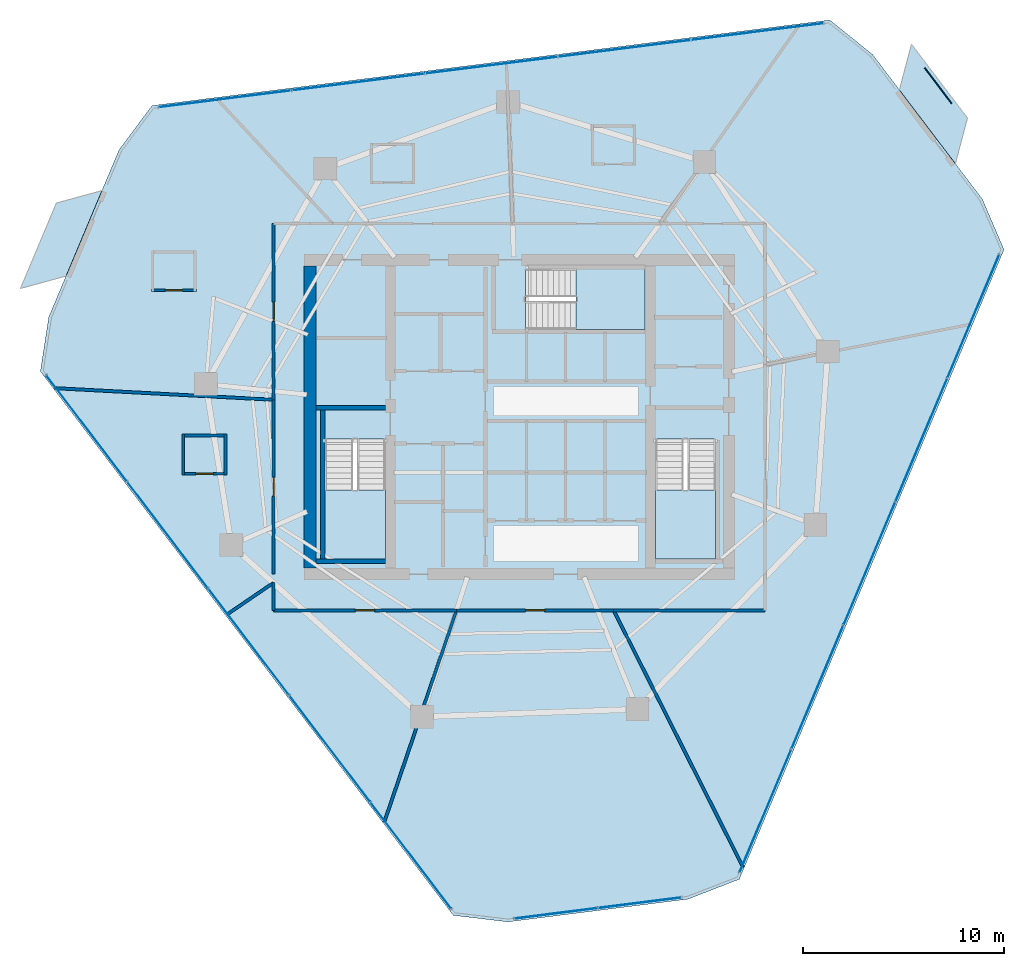
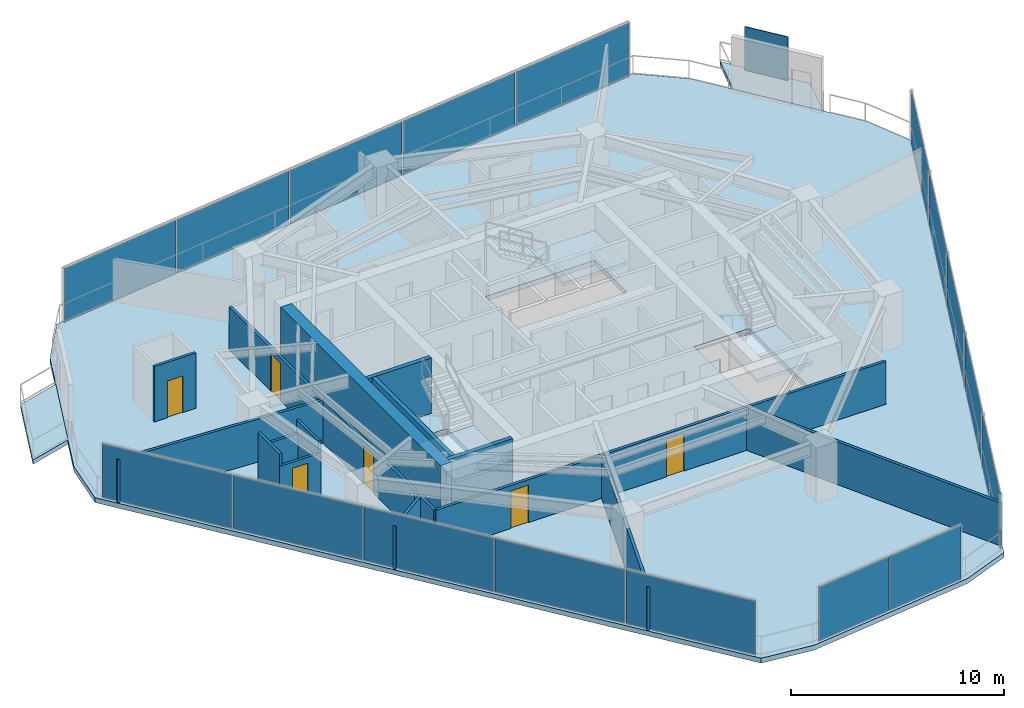
# One storey, part 24 of 30: 19 walls, 18 plates, 6 doors, 6 slabs, 6 openings, 7 elements without a shape of their own.
"""IFC4 building model written with IfcOpenShell, lengths in metres."""

from ifc_helpers import new_model, si_unit, direction, frame, frame_2d, origin, origin_2d, place, context, subcontext, project, spatial, polyline, rectangle, outline, extrude, material, layer, layer_set, type_object, element, fill, aggregate, save


model = new_model("IFC4")

# Units and contexts
model_context = context("Model", 3, precision=1e-05, world=origin(), true_north=direction((0.0, 1.0)))
body_context = subcontext(model_context, "Body", "Model", "MODEL_VIEW")
ifc_project = project(units=[si_unit("LENGTHUNIT", "METRE"), si_unit("AREAUNIT", "SQUARE_METRE"), si_unit("VOLUMEUNIT", "CUBIC_METRE"), si_unit("PLANEANGLEUNIT", "RADIAN"), si_unit("MASSUNIT", "GRAM", prefix="KILO")], contexts=[model_context])

# Site, building, storey
site_placement = place(None, origin())
site = spatial("IfcSite", under=ifc_project, at=site_placement, CompositionType="ELEMENT")
building_placement = place(site_placement, origin())
building = spatial("IfcBuilding", under=site, at=building_placement, Name="Qarnah Convention Tower", CompositionType="ELEMENT")
storey_placement = place(building_placement, frame((0.0, 0.0, 93.60009765625)))
storey = spatial("IfcBuildingStorey", under=building, at=storey_placement, Name="L24", CompositionType="ELEMENT", Elevation=93.60009765625)

# Curtain wall, plates
ifc_material_1 = material(Name="Tempered Low-E dark glass", Category="glass")
ifc_layer_1 = layer(ifc_material_1, 0.169921875)
ifc_layer_set_1 = layer_set([ifc_layer_1], Name="Tempered Low-E dark glass")
curtain_wall_type = type_object("IfcCurtainWallType", Name="CWS-02", PredefinedType="NOTDEFINED", material=ifc_layer_set_1)
curtain_wall_1_placement = place(storey_placement, origin())
curtain_wall_1 = element("IfcCurtainWall", 1, at=curtain_wall_1_placement, inside=storey, type_object=curtain_wall_type, Name="L24 unitised curtain wall CW-L24-F1", PredefinedType="NOTDEFINED")
ifc_layer_2 = layer(ifc_material_1, 0.030029296875)
ifc_layer_set_2 = layer_set([ifc_layer_2], Name="Tempered Low-E dark glass")
plate_type_1 = type_object("IfcPlateType", Name="PNL-T2", PredefinedType="CURTAIN_PANEL", material=ifc_layer_set_2)
plate_1_placement = place(storey_placement, frame((22.586181640625, 42.193359375, 0.0400390625), z_axis=(0.0, 0.0, 1.0), x_axis=(0.992119561144, 0.125294758056, 0.0)))
plate_1 = element("IfcPlate", 2, at=plate_1_placement, type_object=plate_type_1, Name="CW-L24-F1 curtain panel 1.1", PredefinedType="CURTAIN_PANEL", context=body_context, shape_type="SweptSolid", body=[
    extrude(rectangle(XDim=6.5810546875, YDim=0.030029296875, at=origin_2d()), origin(), (0.0, 0.0, 1.0), 3.090087890625),
])
plate_2_placement = place(storey_placement, frame((29.19482421875, 43.02783203125, 0.0400390625), z_axis=(0.0, 0.0, 1.0), x_axis=(0.992119561144, 0.125294758056, 0.0)))
plate_2 = element("IfcPlate", 3, at=plate_2_placement, type_object=plate_type_1, Name="CW-L24-F1 curtain panel 2.1", PredefinedType="CURTAIN_PANEL", context=body_context, shape_type="SweptSolid", body=[
    extrude(rectangle(XDim=6.5810546875, YDim=0.030029296875, at=origin_2d()), origin(), (0.0, 0.0, 1.0), 3.090087890625),
])
plate_3_placement = place(storey_placement, frame((35.803466796875, 43.862548828125, 0.0400390625), z_axis=(0.0, 0.0, 1.0), x_axis=(0.992119561144, 0.125294758056, 0.0)))
plate_3 = element("IfcPlate", 4, at=plate_3_placement, type_object=plate_type_1, Name="CW-L24-F1 curtain panel 3.1", PredefinedType="CURTAIN_PANEL", context=body_context, shape_type="SweptSolid", body=[
    extrude(rectangle(XDim=6.5810546875, YDim=0.030029296875, at=origin_2d()), origin(), (0.0, 0.0, 1.0), 3.090087890625),
])
plate_4_placement = place(storey_placement, frame((42.412109375, 44.697021484375, 0.0400390625), z_axis=(0.0, 0.0, 1.0), x_axis=(0.992119561144, 0.125294758056, 0.0)))
plate_4 = element("IfcPlate", 5, at=plate_4_placement, type_object=plate_type_1, Name="CW-L24-F1 curtain panel 4.1", PredefinedType="CURTAIN_PANEL", context=body_context, shape_type="SweptSolid", body=[
    extrude(rectangle(XDim=6.5810546875, YDim=0.030029296875, at=origin_2d()), origin(), (0.0, 0.0, 1.0), 3.090087890625),
])
plate_5_placement = place(storey_placement, frame((49.020751953125, 45.53173828125, 0.0400390625), z_axis=(0.0, 0.0, 1.0), x_axis=(0.992119561144, 0.125294758056, 0.0)))
plate_5 = element("IfcPlate", 6, at=plate_5_placement, type_object=plate_type_1, Name="CW-L24-F1 curtain panel 5.1", PredefinedType="CURTAIN_PANEL", context=body_context, shape_type="SweptSolid", body=[
    extrude(rectangle(XDim=6.5810546875, YDim=0.030029296875, at=origin_2d()), origin(), (0.0, 0.0, 1.0), 3.090087890625),
])
aggregate(curtain_wall_1, [plate_1, plate_2, plate_3, plate_4, plate_5])

curtain_wall_2_placement = place(storey_placement, origin())
curtain_wall_2 = element("IfcCurtainWall", 7, at=curtain_wall_2_placement, inside=storey, type_object=curtain_wall_type, Name="L24 unitised curtain wall CW-L24-F2", PredefinedType="NOTDEFINED")
plate_6_placement = place(storey_placement, frame((31.8232421875, 4.620849609375, 0.0400390625), z_axis=(0.0, 0.0, 1.0), x_axis=(-0.604606608051, 0.796524230329, 0.0)))
plate_6 = element("IfcPlate", 8, at=plate_6_placement, type_object=plate_type_1, Name="CW-L24-F2 curtain panel 1.1", PredefinedType="CURTAIN_PANEL", context=body_context, shape_type="SweptSolid", body=[
    extrude(rectangle(XDim=6.581298828125, YDim=0.030029296875, at=origin_2d()), origin(), (0.0, 0.0, 1.0), 3.090087890625),
])
plate_7_placement = place(storey_placement, frame((27.7958984375, 9.9267578125, 0.0400390625), z_axis=(0.0, 0.0, 1.0), x_axis=(-0.604606608051, 0.796524230329, 0.0)))
plate_7 = element("IfcPlate", 9, at=plate_7_placement, type_object=plate_type_1, Name="CW-L24-F2 curtain panel 2.1", PredefinedType="CURTAIN_PANEL", context=body_context, shape_type="SweptSolid", body=[
    extrude(rectangle(XDim=6.581298828125, YDim=0.030029296875, at=origin_2d()), origin(), (0.0, 0.0, 1.0), 3.090087890625),
])
plate_8_placement = place(storey_placement, frame((23.7685546875, 15.232421875, 0.0400390625), z_axis=(0.0, 0.0, 1.0), x_axis=(-0.604606608051, 0.796524230329, 0.0)))
plate_8 = element("IfcPlate", 10, at=plate_8_placement, type_object=plate_type_1, Name="CW-L24-F2 curtain panel 3.1", PredefinedType="CURTAIN_PANEL", context=body_context, shape_type="SweptSolid", body=[
    extrude(rectangle(XDim=6.581298828125, YDim=0.030029296875, at=origin_2d()), origin(), (0.0, 0.0, 1.0), 3.090087890625),
])
plate_9_placement = place(storey_placement, frame((19.7412109375, 20.538330078125, 0.0400390625), z_axis=(0.0, 0.0, 1.0), x_axis=(-0.604606608051, 0.796524230329, 0.0)))
plate_9 = element("IfcPlate", 11, at=plate_9_placement, type_object=plate_type_1, Name="CW-L24-F2 curtain panel 4.1", PredefinedType="CURTAIN_PANEL", context=body_context, shape_type="SweptSolid", body=[
    extrude(rectangle(XDim=6.581298828125, YDim=0.030029296875, at=origin_2d()), origin(), (0.0, 0.0, 1.0), 3.090087890625),
])
plate_10_placement = place(storey_placement, frame((15.713623046875, 25.843994140625, 0.0400390625), z_axis=(0.0, 0.0, 1.0), x_axis=(-0.604606608051, 0.796524230329, 0.0)))
plate_10 = element("IfcPlate", 12, at=plate_10_placement, type_object=plate_type_1, Name="CW-L24-F2 curtain panel 5.1", PredefinedType="CURTAIN_PANEL", context=body_context, shape_type="SweptSolid", body=[
    extrude(rectangle(XDim=6.581298828125, YDim=0.030029296875, at=origin_2d()), origin(), (0.0, 0.0, 1.0), 3.090087890625),
])
aggregate(curtain_wall_2, [plate_6, plate_7, plate_8, plate_9, plate_10])

curtain_wall_3_placement = place(storey_placement, origin())
curtain_wall_3 = element("IfcCurtainWall", 13, at=curtain_wall_3_placement, inside=storey, type_object=curtain_wall_type, Name="L24 unitised curtain wall CW-L24-F3", PredefinedType="NOTDEFINED")
plate_11_placement = place(storey_placement, frame((59.743408203125, 31.40576171875, 0.0400390625), z_axis=(0.0, 0.0, 1.0), x_axis=(-0.387506592377, -0.921866932298, 0.0)))
plate_11 = element("IfcPlate", 14, at=plate_11_placement, type_object=plate_type_1, Name="CW-L24-F3 curtain panel 1.1", PredefinedType="CURTAIN_PANEL", context=body_context, shape_type="SweptSolid", body=[
    extrude(rectangle(XDim=6.5810546875, YDim=0.030029296875, at=origin_2d()), origin(), (0.0, 0.0, 1.0), 3.090087890625),
])
plate_12_placement = place(storey_placement, frame((57.162109375, 25.26513671875, 0.0400390625), z_axis=(0.0, 0.0, 1.0), x_axis=(-0.387506592377, -0.921866932298, 0.0)))
plate_12 = element("IfcPlate", 15, at=plate_12_placement, type_object=plate_type_1, Name="CW-L24-F3 curtain panel 2.1", PredefinedType="CURTAIN_PANEL", context=body_context, shape_type="SweptSolid", body=[
    extrude(rectangle(XDim=6.5810546875, YDim=0.030029296875, at=origin_2d()), origin(), (0.0, 0.0, 1.0), 3.090087890625),
])
plate_13_placement = place(storey_placement, frame((54.5810546875, 19.12451171875, 0.0400390625), z_axis=(0.0, 0.0, 1.0), x_axis=(-0.387506592377, -0.921866932298, 0.0)))
plate_13 = element("IfcPlate", 16, at=plate_13_placement, type_object=plate_type_1, Name="CW-L24-F3 curtain panel 3.1", PredefinedType="CURTAIN_PANEL", context=body_context, shape_type="SweptSolid", body=[
    extrude(rectangle(XDim=6.5810546875, YDim=0.030029296875, at=origin_2d()), origin(), (0.0, 0.0, 1.0), 3.090087890625),
])
plate_14_placement = place(storey_placement, frame((51.999755859375, 12.98388671875, 0.0400390625), z_axis=(0.0, 0.0, 1.0), x_axis=(-0.387506592377, -0.921866932298, 0.0)))
plate_14 = element("IfcPlate", 17, at=plate_14_placement, type_object=plate_type_1, Name="CW-L24-F3 curtain panel 4.1", PredefinedType="CURTAIN_PANEL", context=body_context, shape_type="SweptSolid", body=[
    extrude(rectangle(XDim=6.5810546875, YDim=0.030029296875, at=origin_2d()), origin(), (0.0, 0.0, 1.0), 3.090087890625),
])
plate_15_placement = place(storey_placement, frame((49.418701171875, 6.84326171875, 0.0400390625), z_axis=(0.0, 0.0, 1.0), x_axis=(-0.387506592377, -0.921866932298, 0.0)))
plate_15 = element("IfcPlate", 18, at=plate_15_placement, type_object=plate_type_1, Name="CW-L24-F3 curtain panel 5.1", PredefinedType="CURTAIN_PANEL", context=body_context, shape_type="SweptSolid", body=[
    extrude(rectangle(XDim=6.5810546875, YDim=0.030029296875, at=origin_2d()), origin(), (0.0, 0.0, 1.0), 3.090087890625),
])
aggregate(curtain_wall_3, [plate_11, plate_12, plate_13, plate_14, plate_15])

curtain_wall_4_placement = place(storey_placement, origin())
curtain_wall_4 = element("IfcCurtainWall", 19, at=curtain_wall_4_placement, inside=storey, type_object=curtain_wall_type, Name="L24 unitised curtain wall CW-L24-F4", PredefinedType="NOTDEFINED")
plate_16_placement = place(storey_placement, frame((43.17529296875, 2.27880859375, 0.0400390625), z_axis=(0.0, 0.0, 1.0), x_axis=(-0.992121516027, -0.125279277757, 0.0)))
plate_16 = element("IfcPlate", 20, at=plate_16_placement, type_object=plate_type_1, Name="CW-L24-F4 curtain panel 1.1", PredefinedType="CURTAIN_PANEL", context=body_context, shape_type="SweptSolid", body=[
    extrude(rectangle(XDim=4.12255859375, YDim=0.030029296875, at=origin_2d()), origin(), (0.0, 0.0, 1.0), 3.090087890625),
])
plate_17_placement = place(storey_placement, frame((39.005859375, 1.752197265625, 0.0400390625), z_axis=(0.0, 0.0, 1.0), x_axis=(-0.992121516027, -0.125279277757, 0.0)))
plate_17 = element("IfcPlate", 21, at=plate_17_placement, type_object=plate_type_1, Name="CW-L24-F4 curtain panel 2.1", PredefinedType="CURTAIN_PANEL", context=body_context, shape_type="SweptSolid", body=[
    extrude(rectangle(XDim=4.12255859375, YDim=0.030029296875, at=origin_2d()), origin(), (0.0, 0.0, 1.0), 3.090087890625),
])
aggregate(curtain_wall_4, [plate_16, plate_17])

# Plate
ifc_material_2 = material(Name="Black anodised aluminium", Category="aluminium")
ifc_layer_3 = layer(ifc_material_2, 0.044921875)
ifc_layer_set_3 = layer_set([ifc_layer_3], Name="Black anodised aluminium")
plate_type_2 = type_object("IfcPlateType", Name="SCR-BAL-18", PredefinedType="USERDEFINED", material=ifc_layer_set_3)
plate_18_placement = place(storey_placement, frame((57.99609375, 42.841064453125, 0.0), z_axis=(0.0, 0.0, 1.0), x_axis=(0.604581042016, -0.796543635738, 0.0)))
element("IfcPlate", 22, at=plate_18_placement, inside=storey, type_object=plate_type_2, Name="L24 perforated desert solar screen BAL-L24-C1", ObjectType="SCREEN", PredefinedType="USERDEFINED", context=body_context, shape_type="SweptSolid", body=[
    extrude(rectangle(XDim=2.199951171875, YDim=0.044921875, at=origin_2d()), origin(), (0.0, 0.0, 1.0), 2.5),
])

# Slabs
ifc_material_3 = material(Name="Concrete C45/55", Category="concrete")
ifc_layer_4 = layer(ifc_material_3, 0.239990234375)
ifc_layer_set_4 = layer_set([ifc_layer_4], Name="Concrete C45/55")
slab_type_1 = type_object("IfcSlabType", Name="SLB-BAL-240", PredefinedType="USERDEFINED", material=ifc_layer_set_4)
slab_1_placement = place(storey_placement, frame((0.0, 0.0, -0.239990234375)))
element("IfcSlab", 23, at=slab_1_placement, inside=storey, type_object=slab_type_1, Name="L24 cantilevered balcony slab BAL-L24-C1", ObjectType="BALCONY", PredefinedType="USERDEFINED", context=body_context, shape_type="SweptSolid", body=[
    extrude(outline(polyline([(56.6669921875, 44.905029296875), (59.447998046875, 41.240966796875), (58.847900390625, 38.971923828125), (56.06689453125, 42.635986328125), (56.6669921875, 44.905029296875)])), origin(), (0.0, 0.0, 1.0), 0.239990234375),
])
slab_2_placement = place(storey_placement, frame((0.0, 0.0, -0.239990234375)))
element("IfcSlab", 24, at=slab_2_placement, inside=storey, type_object=slab_type_1, Name="L24 cantilevered balcony slab BAL-L24-C2", ObjectType="BALCONY", PredefinedType="USERDEFINED", context=body_context, shape_type="SweptSolid", body=[
    extrude(outline(polyline([(12.43408203125, 32.778076171875), (14.217041015625, 37.01904296875), (16.48095703125, 37.635009765625), (14.697998046875, 33.39306640625), (12.43408203125, 32.778076171875)])), origin(), (0.0, 0.0, 1.0), 0.239990234375),
])

# Stair, slab
ifc_material_4 = material(Name="Concrete C50/60", Category="concrete")
stair_type = type_object("IfcStairType", Name="STR-HTL", PredefinedType="HALF_TURN_STAIR", material=ifc_material_4)
stair_1_placement = place(storey_placement, origin())
stair_1 = element("IfcStair", 25, at=stair_1_placement, inside=storey, type_object=stair_type, Name="L24 Core exit stair ST-1", PredefinedType="HALF_TURN_STAIR")
ifc_layer_5 = layer(ifc_material_4, 0.199951171875)
ifc_layer_set_5 = layer_set([ifc_layer_5], Name="Concrete C50/60")
slab_type_2 = type_object("IfcSlabType", Name="SLB-LANDING-200", PredefinedType="LANDING", material=ifc_layer_set_5)
slab_3_placement = place(storey_placement, frame((0.0, 0.0, 1.52490234375)))
slab_3 = element("IfcSlab", 26, at=slab_3_placement, type_object=slab_type_2, Name="ST-1 landing 1", PredefinedType="LANDING", context=body_context, shape_type="SweptSolid", body=[
    extrude(outline(polyline([(27.550048828125, 22.780029296875), (27.550048828125, 19.35009765625), (30.550048828125, 19.35009765625), (30.550048828125, 22.780029296875), (27.550048828125, 22.780029296875)])), origin(), (0.0, 0.0, 1.0), 0.199951171875),
])
aggregate(stair_1, [slab_3])

stair_2_placement = place(storey_placement, origin())
stair_2 = element("IfcStair", 27, at=stair_2_placement, inside=storey, type_object=stair_type, Name="L24 Core exit stair ST-2", PredefinedType="HALF_TURN_STAIR")
slab_4_placement = place(storey_placement, frame((0.0, 0.0, 1.52490234375)))
slab_4 = element("IfcSlab", 28, at=slab_4_placement, type_object=slab_type_2, Name="ST-2 landing 1", PredefinedType="LANDING", context=body_context, shape_type="SweptSolid", body=[
    extrude(outline(polyline([(43.949951171875, 22.780029296875), (43.949951171875, 19.35009765625), (46.949951171875, 19.35009765625), (46.949951171875, 22.780029296875), (43.949951171875, 22.780029296875)])), origin(), (0.0, 0.0, 1.0), 0.199951171875),
])
aggregate(stair_2, [slab_4])

stair_3_placement = place(storey_placement, origin())
stair_3 = element("IfcStair", 29, at=stair_3_placement, inside=storey, type_object=stair_type, Name="L24 Core exit stair ST-3", PredefinedType="HALF_TURN_STAIR")
slab_5_placement = place(storey_placement, frame((0.0, 0.0, 1.52490234375)))
slab_5 = element("IfcSlab", 30, at=slab_5_placement, type_object=slab_type_2, Name="ST-3 landing 1", PredefinedType="LANDING", context=body_context, shape_type="SweptSolid", body=[
    extrude(outline(polyline([(40.02001953125, 30.75), (43.449951171875, 30.75), (43.449951171875, 33.75), (40.02001953125, 33.75), (40.02001953125, 30.75)])), origin(), (0.0, 0.0, 1.0), 0.199951171875),
])
aggregate(stair_3, [slab_5])

# Slab
ifc_layer_6 = layer(ifc_material_3, 0.280029296875)
ifc_layer_set_6 = layer_set([ifc_layer_6], Name="Concrete C45/55")
slab_type_3 = type_object("IfcSlabType", Name="SLB-TWR-280", PredefinedType="FLOOR", material=ifc_layer_set_6)
slab_6_placement = place(storey_placement, frame((0.0, 0.0, -0.280029296875)))
element("IfcSlab", 31, at=slab_6_placement, inside=storey, type_object=slab_type_3, Name="L24 structural floor slab", PredefinedType="FLOOR", context=body_context, shape_type="SweptSolid", body=[
    extrude(outline(polyline([(52.60791015625, 46.10595703125), (18.968994140625, 41.85693359375), (17.3310546875, 39.6669921875), (13.841064453125, 31.364990234375), (13.423095703125, 28.6630859375), (33.923095703125, 1.656005859375), (36.637939453125, 1.33203125), (45.572998046875, 2.4609375), (48.1220703125, 3.449951171875), (61.260986328125, 34.7060546875), (60.18408203125, 37.218994140625), (54.739013671875, 44.39306640625), (52.60791015625, 46.10595703125)]), holes=[polyline([(27.550048828125, 25.300048828125), (27.550048828125, 19.35009765625), (30.550048828125, 19.35009765625), (30.550048828125, 25.300048828125), (27.550048828125, 25.300048828125)]), polyline([(43.949951171875, 25.300048828125), (43.949951171875, 19.35009765625), (46.949951171875, 19.35009765625), (46.949951171875, 25.300048828125), (43.949951171875, 25.300048828125)]), polyline([(37.5, 30.75), (43.449951171875, 30.75), (43.449951171875, 33.75), (37.5, 33.75), (37.5, 30.75)])]), origin(), (0.0, 0.0, 1.0), 0.280029296875),
])

# Walls
ifc_material_5 = material(Name="Concrete C60/75", Category="concrete")
ifc_layer_7 = layer(ifc_material_5, 0.60009765625)
ifc_layer_set_7 = layer_set([ifc_layer_7], Name="Concrete C60/75")
wall_type_1 = type_object("IfcWallType", Name="WL-CORE-600", PredefinedType="SHEAR", material=ifc_layer_set_7)
wall_1_placement = place(storey_placement, frame((26.800048828125, 18.89990234375, 0.0), z_axis=(0.0, 0.0, 1.0), x_axis=(0.0, 1.0, 0.0)))
element("IfcWall", 32, at=wall_1_placement, inside=storey, type_object=wall_type_1, Name="L24 core west shear wall", PredefinedType="SHEAR", context=body_context, shape_type="SweptSolid", body=[
    extrude(rectangle(XDim=15.0, YDim=0.60009765625, at=frame_2d((7.5, 0.0))), origin(), (0.0, 0.0, 1.0), 3.169921875),
])
ifc_layer_8 = layer(ifc_material_5, 0.219970703125)
ifc_layer_set_8 = layer_set([ifc_layer_8], Name="Concrete C60/75")
wall_type_2 = type_object("IfcWallType", Name="WL-CORE-STAIR-220", PredefinedType="SHEAR", material=ifc_layer_set_8)
wall_2_placement = place(storey_placement, frame((27.10009765625, 26.860107421875, 0.0), z_axis=(0.0, 0.0, 1.0), x_axis=(1.0, 0.0, 0.0)))
element("IfcWall", 33, at=wall_2_placement, inside=storey, type_object=wall_type_2, Name="L24 stair shaft shear wall SW-L24-ST1N", PredefinedType="SHEAR", context=body_context, shape_type="SweptSolid", body=[
    extrude(rectangle(XDim=3.449951171875, YDim=0.219970703125, at=frame_2d((1.72509765625, 0.0))), origin(), (0.0, 0.0, 1.0), 3.169921875),
])
wall_3_placement = place(storey_placement, frame((27.43994140625, 19.35009765625, 0.0), z_axis=(0.0, 0.0, 1.0), x_axis=(0.0, 1.0, 0.0)))
element("IfcWall", 34, at=wall_3_placement, inside=storey, type_object=wall_type_2, Name="L24 stair shaft shear wall SW-L24-ST1W", PredefinedType="SHEAR", context=body_context, shape_type="SweptSolid", body=[
    extrude(rectangle(XDim=7.39990234375, YDim=0.219970703125, at=frame_2d((3.699951171875, 0.0))), origin(), (0.0, 0.0, 1.0), 3.169921875),
])
wall_4_placement = place(storey_placement, frame((27.10009765625, 19.239990234375, 0.0), z_axis=(0.0, 0.0, 1.0), x_axis=(1.0, 0.0, 0.0)))
element("IfcWall", 35, at=wall_4_placement, inside=storey, type_object=wall_type_2, Name="L24 stair shaft shear wall SW-L24-ST1S", PredefinedType="SHEAR", context=body_context, shape_type="SweptSolid", body=[
    extrude(rectangle(XDim=3.449951171875, YDim=0.219970703125, at=frame_2d((1.72509765625, 0.0))), origin(), (0.0, 0.0, 1.0), 3.169921875),
])
ifc_material_6 = material(Name="Gypsum partition board")
ifc_layer_9 = layer(ifc_material_6, 0.14990234375)
ifc_layer_set_9 = layer_set([ifc_layer_9], Name="Gypsum partition board")
wall_type_3 = type_object("IfcWallType", Name="WL-SUITE-150", PredefinedType="PARTITIONING", material=ifc_layer_set_9)
wall_5_placement = place(storey_placement, frame((14.132080078125, 27.8291015625, 0.0), z_axis=(0.0, 0.0, 1.0), x_axis=(0.998597616042, -0.052941488798, 0.0)))
element("IfcWall", 36, at=wall_5_placement, inside=storey, type_object=wall_type_3, Name="L24 interior wall IW-L24-R-26", PredefinedType="PARTITIONING", context=body_context, shape_type="SweptSolid", body=[
    extrude(rectangle(XDim=10.88330078125, YDim=0.14990234375, at=frame_2d((5.441650390625, 0.0))), origin(), (0.0, 0.0, 1.0), 2.454833984375),
])

# Wall, opening, door
wall_6_placement = place(storey_placement, frame((25.0, 27.2529296875, 0.0), z_axis=(0.0, 0.0, 1.0), x_axis=(0.0, 1.0, 0.0)))
wall_6 = element("IfcWall", 37, at=wall_6_placement, inside=storey, type_object=wall_type_3, Name="L24 interior wall IW-L24-R-27", PredefinedType="PARTITIONING", context=body_context, shape_type="SweptSolid", body=[
    extrude(rectangle(XDim=8.7470703125, YDim=0.14990234375, at=frame_2d((4.37353515625, 0.0))), origin(), (0.0, 0.0, 1.0), 2.454833984375),
])
opening_1_placement = place(wall_6_placement, frame((3.89794921875, 0.0, 0.0)))
opening_1 = element("IfcOpeningElement", 38, at=opening_1_placement, cuts=wall_6, Name="Opening D-2421", PredefinedType="OPENING", context=body_context, shape_type="SweptSolid", body=[
    extrude(rectangle(XDim=0.949951171875, YDim=2.14990234375, at=frame_2d((0.47509765625, 1.074951171875))), frame((0.0, 0.0849609375, 0.0), z_axis=(0.0, -1.0, 0.0), x_axis=(1.0, 0.0, 0.0)), (0.0, 0.0, 1.0), 0.169921875),
])
ifc_material_7 = material(Name="Oak timber veneer", Category="wood")
door_type_1 = type_object("IfcDoorType", Name="DT-HOTEL-950", OperationType="NOTDEFINED", PredefinedType="DOOR", material=ifc_material_7)
door_1_placement = place(opening_1_placement, origin())
door_1 = element("IfcDoor", 39, at=door_1_placement, inside=storey, type_object=door_type_1, Name="Door D-2421", OperationType="SINGLE_SWING_RIGHT", OverallHeight=2.14990234375, OverallWidth=0.949951171875, PredefinedType="DOOR", context=body_context, shape_type="SweptSolid", body=[
    extrude(rectangle(XDim=0.949951171875, YDim=2.14990234375, at=frame_2d((0.47509765625, 1.074951171875))), frame((0.0, 0.02490234375, 0.0), z_axis=(0.0, -1.0, 0.0), x_axis=(1.0, 0.0, 0.0)), (0.0, 0.0, 1.0), 0.050048828125),
])
fill(opening_1, door_1)

# Wall
wall_7_placement = place(storey_placement, frame((22.68603515625, 16.592041015625, 0.0), z_axis=(0.0, 0.0, 1.0), x_axis=(0.826035533893, 0.563618041537, 0.0)))
element("IfcWall", 40, at=wall_7_placement, inside=storey, type_object=wall_type_3, Name="L24 interior wall IW-L24-R-30", PredefinedType="PARTITIONING", context=body_context, shape_type="SweptSolid", body=[
    extrude(rectangle(XDim=2.80126953125, YDim=0.14990234375, at=frame_2d((1.400634765625, 0.0))), origin(), (0.0, 0.0, 1.0), 2.454833984375),
])

# Wall, opening, door
wall_8_placement = place(storey_placement, frame((25.0, 18.60009765625, 0.0), z_axis=(0.0, 0.0, 1.0), x_axis=(0.0, 1.0, 0.0)))
wall_8 = element("IfcWall", 41, at=wall_8_placement, inside=storey, type_object=wall_type_3, Name="L24 interior wall IW-L24-R-31", PredefinedType="PARTITIONING", context=body_context, shape_type="SweptSolid", body=[
    extrude(rectangle(XDim=8.65283203125, YDim=0.14990234375, at=frame_2d((4.326416015625, 0.0))), origin(), (0.0, 0.0, 1.0), 2.466796875),
])
opening_2_placement = place(wall_8_placement, frame((3.85107421875, 0.0, 0.0)))
opening_2 = element("IfcOpeningElement", 42, at=opening_2_placement, cuts=wall_8, Name="Opening D-2423", PredefinedType="OPENING", context=body_context, shape_type="SweptSolid", body=[
    extrude(rectangle(XDim=0.949951171875, YDim=2.14990234375, at=frame_2d((0.47509765625, 1.074951171875))), frame((0.0, 0.0849609375, 0.0), z_axis=(0.0, -1.0, 0.0), x_axis=(1.0, 0.0, 0.0)), (0.0, 0.0, 1.0), 0.169921875),
])
door_2_placement = place(opening_2_placement, origin())
door_2 = element("IfcDoor", 43, at=door_2_placement, inside=storey, type_object=door_type_1, Name="Door D-2423", OperationType="SINGLE_SWING_RIGHT", OverallHeight=2.14990234375, OverallWidth=0.949951171875, PredefinedType="DOOR", context=body_context, shape_type="SweptSolid", body=[
    extrude(rectangle(XDim=0.949951171875, YDim=2.14990234375, at=frame_2d((0.47509765625, 1.074951171875))), frame((0.0, 0.02490234375, 0.0), z_axis=(0.0, -1.0, 0.0), x_axis=(1.0, 0.0, 0.0)), (0.0, 0.0, 1.0), 0.050048828125),
])
fill(opening_2, door_2)

# Wall
wall_9_placement = place(storey_placement, frame((30.4951171875, 6.281005859375, 0.0), z_axis=(0.0, 0.0, 1.0), x_axis=(0.322665876573, 0.946512932873, 0.0)))
element("IfcWall", 44, at=wall_9_placement, inside=storey, type_object=wall_type_3, Name="L24 interior wall IW-L24-R-32", PredefinedType="PARTITIONING", context=body_context, shape_type="SweptSolid", body=[
    extrude(rectangle(XDim=11.113525390625, YDim=0.14990234375, at=frame_2d((5.556640625, 0.0))), origin(), (0.0, 0.0, 1.0), 2.466796875),
])

# Wall, opening, door
wall_10_placement = place(storey_placement, frame((34.0810546875, 16.800048828125, 0.0), z_axis=(0.0, 0.0, 1.0), x_axis=(-1.0, 0.0, 0.0)))
wall_10 = element("IfcWall", 45, at=wall_10_placement, inside=storey, type_object=wall_type_3, Name="L24 interior wall IW-L24-R-33", PredefinedType="PARTITIONING", context=body_context, shape_type="SweptSolid", body=[
    extrude(rectangle(XDim=9.0810546875, YDim=0.14990234375, at=frame_2d((4.54052734375, 0.0))), origin(), (0.0, 0.0, 1.0), 2.454833984375),
])
opening_3_placement = place(wall_10_placement, frame((4.06591796875, 0.0, 0.0)))
opening_3 = element("IfcOpeningElement", 46, at=opening_3_placement, cuts=wall_10, Name="Opening D-2425", PredefinedType="OPENING", context=body_context, shape_type="SweptSolid", body=[
    extrude(rectangle(XDim=0.949951171875, YDim=2.14990234375, at=frame_2d((0.47509765625, 1.074951171875))), frame((0.0, 0.0849609375, 0.0), z_axis=(0.0, -1.0, 0.0), x_axis=(1.0, 0.0, 0.0)), (0.0, 0.0, 1.0), 0.169921875),
])
door_3_placement = place(opening_3_placement, origin())
door_3 = element("IfcDoor", 47, at=door_3_placement, inside=storey, type_object=door_type_1, Name="Door D-2425", OperationType="SINGLE_SWING_RIGHT", OverallHeight=2.14990234375, OverallWidth=0.949951171875, PredefinedType="DOOR", context=body_context, shape_type="SweptSolid", body=[
    extrude(rectangle(XDim=0.949951171875, YDim=2.14990234375, at=frame_2d((0.47509765625, 1.074951171875))), frame((0.0, 0.02490234375, 0.0), z_axis=(0.0, -1.0, 0.0), x_axis=(1.0, 0.0, 0.0)), (0.0, 0.0, 1.0), 0.050048828125),
])
fill(opening_3, door_3)

# Walls
wall_11_placement = place(storey_placement, frame((25.0, 16.800048828125, 0.0), z_axis=(0.0, 0.0, 1.0), x_axis=(0.0, 1.0, 0.0)))
element("IfcWall", 48, at=wall_11_placement, inside=storey, type_object=wall_type_3, Name="L24 interior wall IW-L24-R-34", PredefinedType="PARTITIONING", context=body_context, shape_type="SweptSolid", body=[
    extrude(rectangle(XDim=1.370849609375, YDim=0.14990234375, at=frame_2d((0.685546875, 0.0))), origin(), (0.0, 0.0, 1.0), 2.454833984375),
])
wall_12_placement = place(storey_placement, frame((48.306884765625, 4.0458984375, 0.0), z_axis=(0.0, 0.0, 1.0), x_axis=(-0.449885334455, 0.893086326086, 0.0)))
element("IfcWall", 49, at=wall_12_placement, inside=storey, type_object=wall_type_3, Name="L24 interior wall IW-L24-R-35", PredefinedType="PARTITIONING", context=body_context, shape_type="SweptSolid", body=[
    extrude(rectangle(XDim=14.281005859375, YDim=0.14990234375, at=frame_2d((7.140625, 0.0))), origin(), (0.0, 0.0, 1.0), 2.454833984375),
])

# Wall, opening, door
wall_13_placement = place(storey_placement, frame((41.882080078125, 16.800048828125, 0.0), z_axis=(0.0, 0.0, 1.0), x_axis=(-1.0, 0.0, 0.0)))
wall_13 = element("IfcWall", 50, at=wall_13_placement, inside=storey, type_object=wall_type_3, Name="L24 interior wall IW-L24-R-36", PredefinedType="PARTITIONING", context=body_context, shape_type="SweptSolid", body=[
    extrude(rectangle(XDim=7.801025390625, YDim=0.14990234375, at=frame_2d((3.900390625, 0.0))), origin(), (0.0, 0.0, 1.0), 2.466796875),
])
opening_4_placement = place(wall_13_placement, frame((3.425048828125, 0.0, 0.0)))
opening_4 = element("IfcOpeningElement", 51, at=opening_4_placement, cuts=wall_13, Name="Opening D-2426", PredefinedType="OPENING", context=body_context, shape_type="SweptSolid", body=[
    extrude(rectangle(XDim=0.949951171875, YDim=2.14990234375, at=frame_2d((0.47509765625, 1.074951171875))), frame((0.0, 0.0849609375, 0.0), z_axis=(0.0, -1.0, 0.0), x_axis=(1.0, 0.0, 0.0)), (0.0, 0.0, 1.0), 0.169921875),
])
door_4_placement = place(opening_4_placement, origin())
door_4 = element("IfcDoor", 52, at=door_4_placement, inside=storey, type_object=door_type_1, Name="Door D-2426", OperationType="SINGLE_SWING_LEFT", OverallHeight=2.14990234375, OverallWidth=0.949951171875, PredefinedType="DOOR", context=body_context, shape_type="SweptSolid", body=[
    extrude(rectangle(XDim=0.949951171875, YDim=2.14990234375, at=frame_2d((0.47509765625, 1.074951171875))), frame((0.0, 0.02490234375, 0.0), z_axis=(0.0, -1.0, 0.0), x_axis=(1.0, 0.0, 0.0)), (0.0, 0.0, 1.0), 0.050048828125),
])
fill(opening_4, door_4)

# Wall
wall_14_placement = place(storey_placement, frame((49.39990234375, 16.800048828125, 0.0), z_axis=(0.0, 0.0, 1.0), x_axis=(-1.0, 0.0, 0.0)))
element("IfcWall", 53, at=wall_14_placement, inside=storey, type_object=wall_type_3, Name="L24 interior wall IW-L24-R-39", PredefinedType="PARTITIONING", context=body_context, shape_type="SweptSolid", body=[
    extrude(rectangle(XDim=7.517822265625, YDim=0.14990234375, at=frame_2d((3.7587890625, 0.0))), origin(), (0.0, 0.0, 1.0), 2.454833984375),
])

# Wall, opening, door
ifc_layer_10 = layer(ifc_material_6, 0.139892578125)
ifc_layer_set_10 = layer_set([ifc_layer_10], Name="Gypsum partition board")
wall_type_4 = type_object("IfcWallType", Name="WL-WET-140", PredefinedType="PARTITIONING", material=ifc_layer_set_10)
wall_15_placement = place(storey_placement, frame((18.930908203125, 32.694091796875, 0.0), z_axis=(0.0, 0.0, 1.0), x_axis=(1.0, 0.0, 0.0)))
wall_15 = element("IfcWall", 54, at=wall_15_placement, inside=storey, type_object=wall_type_4, Name="L24 interior wall IW-L24-ENS03-1", PredefinedType="PARTITIONING", context=body_context, shape_type="SweptSolid", body=[
    extrude(rectangle(XDim=2.239990234375, YDim=0.139892578125, at=frame_2d((1.1201171875, 0.0))), origin(), (0.0, 0.0, 1.0), 3.169921875),
])
opening_5_placement = place(wall_15_placement, frame((0.695068359375, 0.0, 0.0)))
opening_5 = element("IfcOpeningElement", 55, at=opening_5_placement, cuts=wall_15, Name="Opening D-2422", PredefinedType="OPENING", context=body_context, shape_type="SweptSolid", body=[
    extrude(rectangle(XDim=0.85009765625, YDim=2.10009765625, at=frame_2d((0.425048828125, 1.050048828125))), frame((0.0, 0.079833984375, 0.0), z_axis=(0.0, -1.0, 0.0), x_axis=(1.0, 0.0, 0.0)), (0.0, 0.0, 1.0), 0.159912109375),
])
door_type_2 = type_object("IfcDoorType", Name="DT-BATH-850", OperationType="NOTDEFINED", PredefinedType="DOOR", material=ifc_material_7)
door_5_placement = place(opening_5_placement, origin())
door_5 = element("IfcDoor", 56, at=door_5_placement, inside=storey, type_object=door_type_2, Name="Door D-2422", OperationType="SINGLE_SWING_LEFT", OverallHeight=2.10009765625, OverallWidth=0.85009765625, PredefinedType="DOOR", context=body_context, shape_type="SweptSolid", body=[
    extrude(rectangle(XDim=0.85009765625, YDim=2.10009765625, at=frame_2d((0.425048828125, 1.050048828125))), frame((0.0, 0.02490234375, 0.0), z_axis=(0.0, -1.0, 0.0), x_axis=(1.0, 0.0, 0.0)), (0.0, 0.0, 1.0), 0.050048828125),
])
fill(opening_5, door_5)

wall_16_placement = place(storey_placement, frame((20.444091796875, 23.576904296875, 0.0), z_axis=(0.0, 0.0, 1.0), x_axis=(1.0, 0.0, 0.0)))
wall_16 = element("IfcWall", 57, at=wall_16_placement, inside=storey, type_object=wall_type_4, Name="L24 interior wall IW-L24-ENS04-1", PredefinedType="PARTITIONING", context=body_context, shape_type="SweptSolid", body=[
    extrude(rectangle(XDim=2.239990234375, YDim=0.139892578125, at=frame_2d((1.1201171875, 0.0))), origin(), (0.0, 0.0, 1.0), 2.454833984375),
])
opening_6_placement = place(wall_16_placement, frame((0.695068359375, 0.0, 0.0)))
opening_6 = element("IfcOpeningElement", 58, at=opening_6_placement, cuts=wall_16, Name="Opening D-2424", PredefinedType="OPENING", context=body_context, shape_type="SweptSolid", body=[
    extrude(rectangle(XDim=0.85009765625, YDim=2.10009765625, at=frame_2d((0.425048828125, 1.050048828125))), frame((0.0, 0.079833984375, 0.0), z_axis=(0.0, -1.0, 0.0), x_axis=(1.0, 0.0, 0.0)), (0.0, 0.0, 1.0), 0.159912109375),
])
door_6_placement = place(opening_6_placement, origin())
door_6 = element("IfcDoor", 59, at=door_6_placement, inside=storey, type_object=door_type_2, Name="Door D-2424", OperationType="SINGLE_SWING_LEFT", OverallHeight=2.10009765625, OverallWidth=0.85009765625, PredefinedType="DOOR", context=body_context, shape_type="SweptSolid", body=[
    extrude(rectangle(XDim=0.85009765625, YDim=2.10009765625, at=frame_2d((0.425048828125, 1.050048828125))), frame((0.0, 0.02490234375, 0.0), z_axis=(0.0, -1.0, 0.0), x_axis=(1.0, 0.0, 0.0)), (0.0, 0.0, 1.0), 0.050048828125),
])
fill(opening_6, door_6)

# Walls
wall_17_placement = place(storey_placement, frame((22.614013671875, 23.507080078125, 0.0), z_axis=(0.0, 0.0, 1.0), x_axis=(0.0, 1.0, 0.0)))
element("IfcWall", 60, at=wall_17_placement, inside=storey, type_object=wall_type_4, Name="L24 interior wall IW-L24-ENS04-2", PredefinedType="PARTITIONING", context=body_context, shape_type="SweptSolid", body=[
    extrude(rectangle(XDim=2.0400390625, YDim=0.139892578125, at=frame_2d((1.02001953125, 0.0))), origin(), (0.0, 0.0, 1.0), 3.169921875),
])
wall_18_placement = place(storey_placement, frame((22.68408203125, 25.47705078125, 0.0), z_axis=(0.0, 0.0, 1.0), x_axis=(-1.0, 0.0, 0.0)))
element("IfcWall", 61, at=wall_18_placement, inside=storey, type_object=wall_type_4, Name="L24 interior wall IW-L24-ENS04-3", PredefinedType="PARTITIONING", context=body_context, shape_type="SweptSolid", body=[
    extrude(rectangle(XDim=2.239990234375, YDim=0.139892578125, at=frame_2d((1.1201171875, 0.0))), origin(), (0.0, 0.0, 1.0), 2.454833984375),
])
wall_19_placement = place(storey_placement, frame((20.513916015625, 25.547119140625, 0.0), z_axis=(0.0, 0.0, 1.0), x_axis=(0.0, -1.0, 0.0)))
element("IfcWall", 62, at=wall_19_placement, inside=storey, type_object=wall_type_4, Name="L24 interior wall IW-L24-ENS04-4", PredefinedType="PARTITIONING", context=body_context, shape_type="SweptSolid", body=[
    extrude(rectangle(XDim=2.0400390625, YDim=0.139892578125, at=frame_2d((1.02001953125, 0.0))), origin(), (0.0, 0.0, 1.0), 3.169921875),
])

save(model, "model.ifc")
